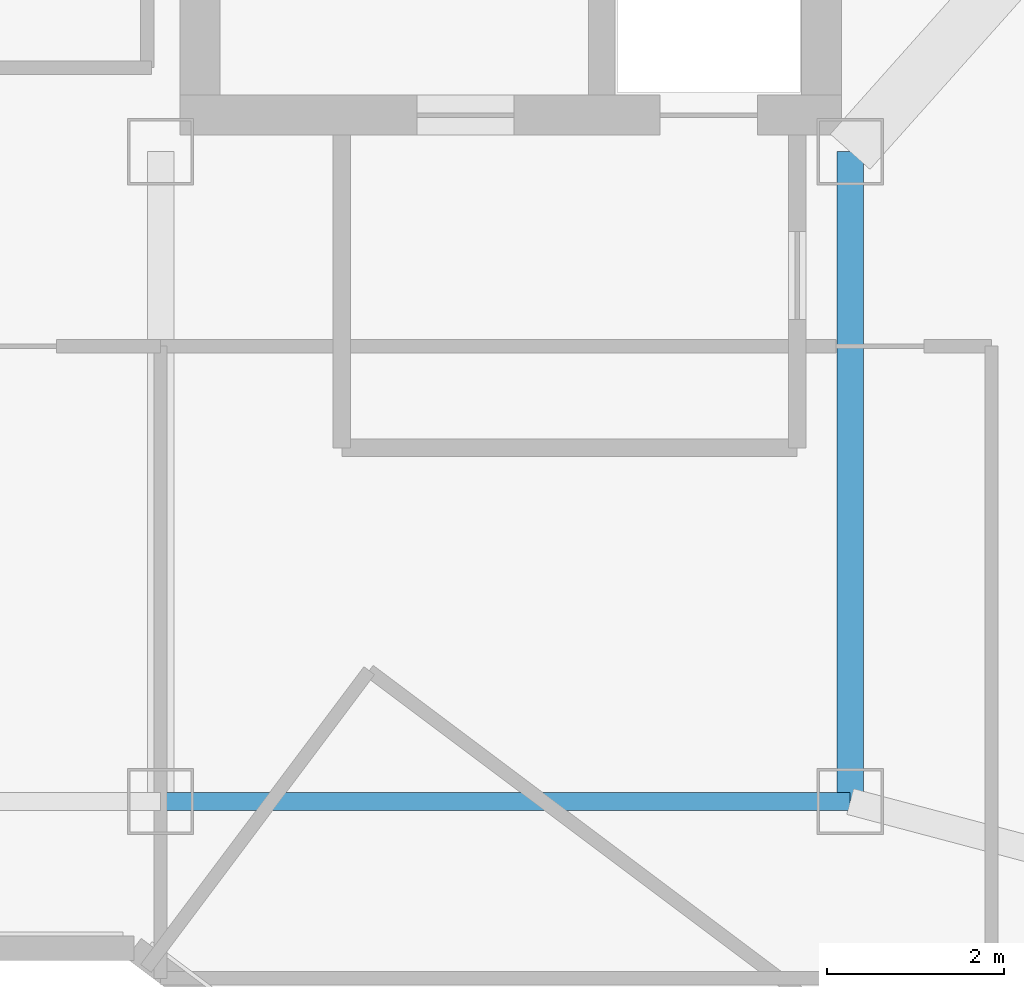
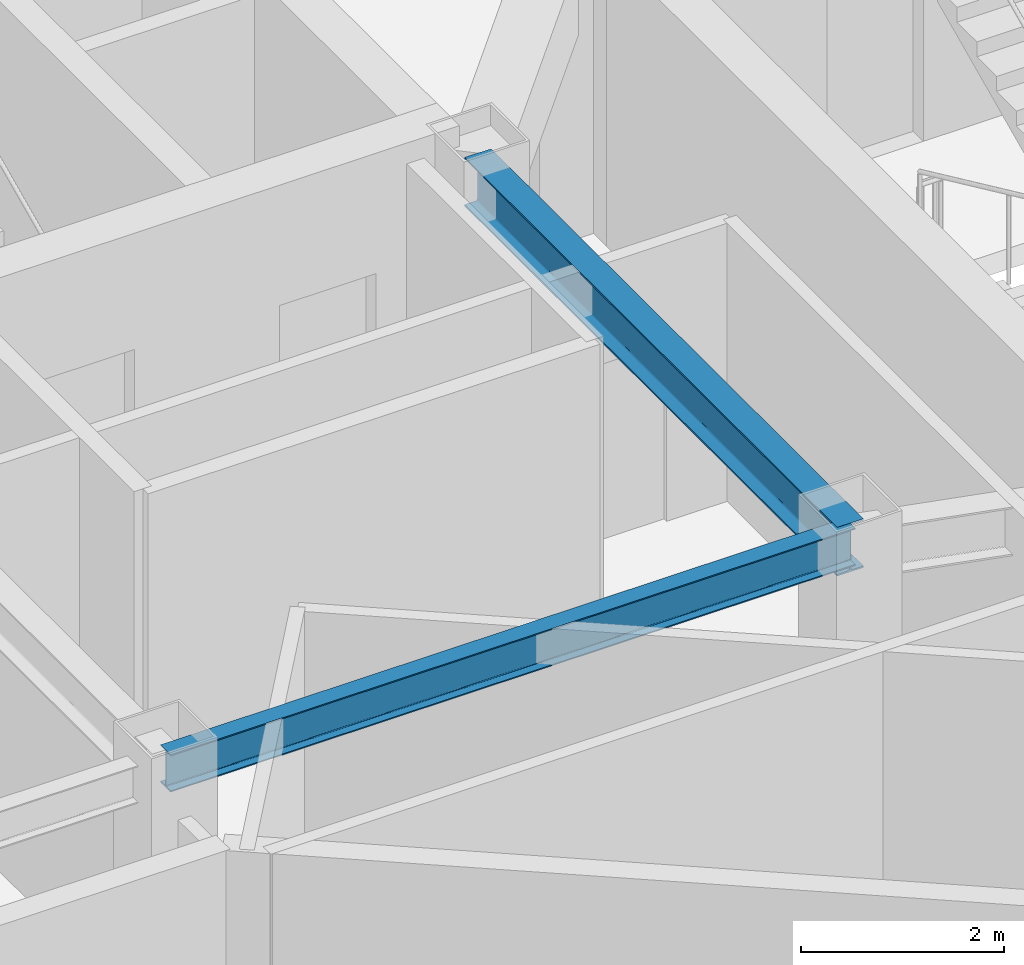
# One storey, part 5 of 25: 2 beams.
"""IFC4 building model written with IfcOpenShell, lengths in metres."""

from ifc_helpers import new_model, si_unit, direction, frame, origin, origin_2d, place, context, subcontext, project, spatial, i_section, extrude, material, material_profile, profile_set, type_object, element, save


model = new_model("IFC4")

# Units and contexts
model_context = context("Model", 3, precision=1e-05, world=origin(), true_north=direction((0.0, 1.0)))
body_context = subcontext(model_context, "Body", "Model", "MODEL_VIEW")
ifc_project = project(units=[si_unit("LENGTHUNIT", "METRE"), si_unit("AREAUNIT", "SQUARE_METRE"), si_unit("VOLUMEUNIT", "CUBIC_METRE"), si_unit("PLANEANGLEUNIT", "RADIAN"), si_unit("MASSUNIT", "GRAM", prefix="KILO")], contexts=[model_context])

# Site, building, storey
site_placement = place(None, origin())
site = spatial("IfcSite", under=ifc_project, at=site_placement, CompositionType="ELEMENT")
building_placement = place(site_placement, origin())
building = spatial("IfcBuilding", under=site, at=building_placement, Name="Hatsunagi Terrace Concourse", CompositionType="ELEMENT")
storey_placement = place(building_placement, frame((0.0, 0.0, 205.949951171875)))
storey = spatial("IfcBuildingStorey", under=building, at=storey_placement, Name="L54", CompositionType="ELEMENT", Elevation=205.949951171875)

# Beams
ifc_material_1 = material(Name="Steel SN490B", Category="steel")
ifc_material_profile_1 = material_profile(ifc_material_1, i_section(OverallWidth=0.300048828125, OverallDepth=0.587890625, WebThickness=0.011962890625, FlangeThickness=0.02001953125, FilletRadius=0.01806640625, at=origin_2d()), Name="H-588x300x12x20")
ifc_profile_set_1 = profile_set([ifc_material_profile_1], Name="Steel SN490B")
beam_type_1 = type_object("IfcBeamType", Name="OfficeHighGirder_H_588x300", PredefinedType="BEAM", material=ifc_profile_set_1)
beam_1_placement = place(storey_placement, frame((33.35009765625, 25.199951171875, 3.05615234375), z_axis=(0.0, 1.0, 0.0), x_axis=(-1.0, 0.0, 0.0)))
element("IfcBeam", 1, at=beam_1_placement, inside=storey, type_object=beam_type_1, Name="Beam G-06 BM-L54-K2CA", PredefinedType="BEAM", context=body_context, shape_type="SweptSolid", body=[
    extrude(i_section(OverallWidth=0.300048828125, OverallDepth=0.587890625, WebThickness=0.011962890625, FlangeThickness=0.02001953125, FilletRadius=0.01806640625, at=origin_2d()), origin(), (0.0, 0.0, 1.0), 7.35009765625),
])
ifc_material_2 = material(Name="Steel SN490B", Category="steel")
ifc_material_profile_2 = material_profile(ifc_material_2, i_section(OverallWidth=0.199951171875, OverallDepth=0.449951171875, WebThickness=0.009033203125, FlangeThickness=0.013916015625, FilletRadius=0.01611328125, at=origin_2d()), Name="H-450x200x9x14")
ifc_profile_set_2 = profile_set([ifc_material_profile_2], Name="Steel SN490B")
beam_type_2 = type_object("IfcBeamType", Name="PerimeterSpandrel_H_450x200", PredefinedType="SPANDREL", material=ifc_profile_set_2)
beam_2_placement = place(storey_placement, frame((25.550048828125, 25.199951171875, 3.125), z_axis=(1.0, 0.0, 0.0), x_axis=(0.0, 1.0, 0.0)))
element("IfcBeam", 2, at=beam_2_placement, inside=storey, type_object=beam_type_2, Name="Beam SP-02 BM-L54-WS-25", PredefinedType="SPANDREL", context=body_context, shape_type="SweptSolid", body=[
    extrude(i_section(OverallWidth=0.199951171875, OverallDepth=0.449951171875, WebThickness=0.009033203125, FlangeThickness=0.013916015625, FilletRadius=0.01611328125, at=origin_2d()), origin(), (0.0, 0.0, 1.0), 7.800048828125),
])

save(model, "model.ifc")
